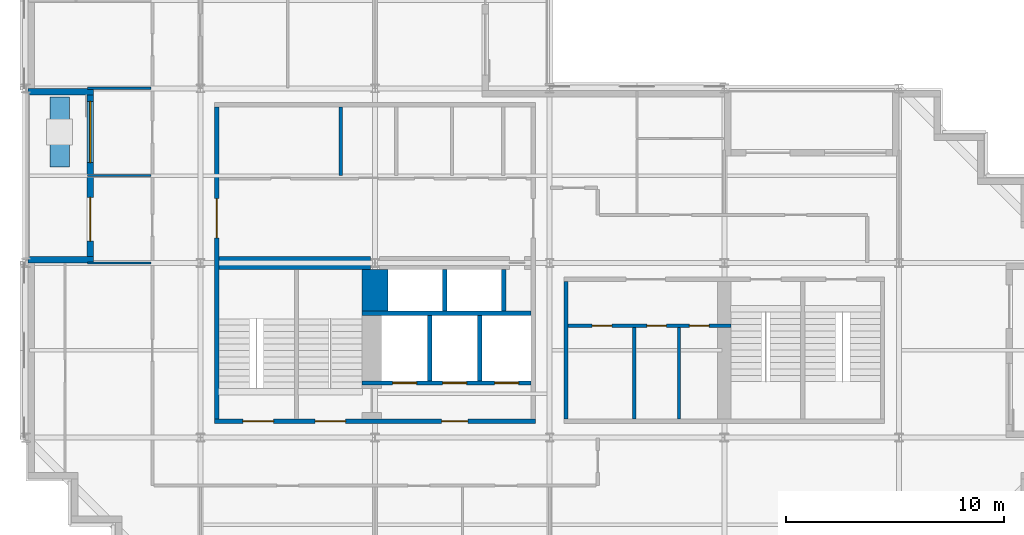
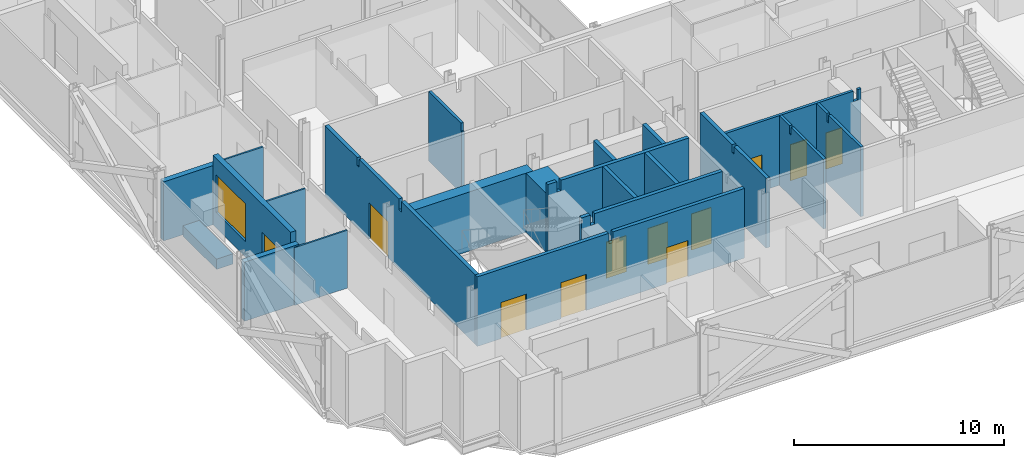
# One storey, part 5 of 13: 22 walls, 11 doors, 1 window, 12 openings.
"""IFC4 building model written with IfcOpenShell, lengths in metres."""

import ifcopenshell
import ifcopenshell.guid

model = None  # the IFC model being written
_history = None  # IfcOwnerHistory: only IFC2X3 demands one
_inside = {}  # id of a spatial element -> (the spatial element, [elements in it])
_under = {}  # id of a project, library or spatial element -> (it, [spatial elements below it])
_declared = {}  # id of a project -> (the project, [libraries it declares])
_typed = {}  # id of a type object -> (the type object, [elements of that type])
_made_of = {}  # id of a material, layer set ... -> (it, [elements and type objects made of it])


def new_model(schema):
    """Start an empty IFC model of exactly this schema.

    Asked for "IFC4X3", IfcOpenShell would pick the latest addendum, in which some entities
    have other attributes; the version numbers below select the first issue.
    IFC2X3 requires an IfcOwnerHistory on every rooted entity: one is made here for all.
    """
    global model, _history
    if schema == "IFC4X3":
        model = ifcopenshell.file(schema_version=(4, 3, 0, 0))
    else:
        model = ifcopenshell.file(schema=schema)
    _inside.clear()
    _under.clear()
    _declared.clear()
    _typed.clear()
    _made_of.clear()
    _history = None
    if model.schema == "IFC2X3":
        org = make("IfcOrganization", Name="unknown")
        user = make(
            "IfcPersonAndOrganization",
            ThePerson=make("IfcPerson", FamilyName="unknown"),
            TheOrganization=org,
        )
        app = make(
            "IfcApplication",
            ApplicationDeveloper=org,
            Version="unknown",
            ApplicationFullName="unknown",
            ApplicationIdentifier="unknown",
        )
        _history = make(
            "IfcOwnerHistory",
            OwningUser=user,
            OwningApplication=app,
            ChangeAction="ADDED",
            CreationDate=0,
        )
    return model


def make(cls, **values):
    """One entity of the class cls with the attributes given. An attribute that is None is left unset."""
    return model.create_entity(
        cls, **{name: value for name, value in values.items() if value is not None}
    )


def rooted(cls, **values):
    """An entity with a GlobalId (a new one), such as an element, a storey or a relation."""
    return make(cls, GlobalId=ifcopenshell.guid.new(), OwnerHistory=_history, **values)


def si_unit(unit_type, name, prefix=None):
    """IfcSIUnit, for example si_unit("LENGTHUNIT", "METRE", prefix="MILLI")."""
    return make("IfcSIUnit", UnitType=unit_type, Prefix=prefix, Name=name)


def assignment(units):
    """IfcUnitAssignment: the units of a project."""
    return None if units is None else make("IfcUnitAssignment", Units=units)


def point(xyz):
    """IfcCartesianPoint."""
    return None if xyz is None else make("IfcCartesianPoint", Coordinates=xyz)


def direction(xyz):
    """IfcDirection."""
    return None if xyz is None else make("IfcDirection", DirectionRatios=xyz)


def frame(location, z_axis=None, x_axis=None):
    """IfcAxis2Placement3D, a coordinate frame: its origin and axes. An axis left out is left unset."""
    return make(
        "IfcAxis2Placement3D",
        Location=point(location),
        Axis=direction(z_axis),
        RefDirection=direction(x_axis),
    )


def frame_2d(location, x_axis=None):
    """IfcAxis2Placement2D, a coordinate frame in the plane: its origin and x axis."""
    return make(
        "IfcAxis2Placement2D", Location=point(location), RefDirection=direction(x_axis)
    )


def origin():
    """The frame at (0, 0, 0) with its axes left unset."""
    return frame((0.0, 0.0, 0.0))


def place(relative_to, where):
    """IfcLocalPlacement: puts the frame where relative to a parent placement (None: the world)."""
    return make(
        "IfcLocalPlacement", PlacementRelTo=relative_to, RelativePlacement=where
    )


def context(
    kind, dimensions, precision=None, world=None, true_north=None, identifier=None
):
    """IfcGeometricRepresentationContext, for example the 3D "Model" context."""
    return make(
        "IfcGeometricRepresentationContext",
        ContextIdentifier=identifier,
        ContextType=kind,
        CoordinateSpaceDimension=dimensions,
        Precision=precision,
        WorldCoordinateSystem=world,
        TrueNorth=true_north,
    )


def subcontext(parent, identifier, kind, view, scale=None):
    """IfcGeometricRepresentationSubContext, for example "Body" below "Model"."""
    return make(
        "IfcGeometricRepresentationSubContext",
        ContextIdentifier=identifier,
        ContextType=kind,
        ParentContext=parent,
        TargetScale=scale,
        TargetView=view,
    )


def project(units=None, contexts=None):
    """IfcProject with its units and contexts."""
    return rooted(
        "IfcProject",
        Name="project",
        RepresentationContexts=contexts,
        UnitsInContext=assignment(units),
    )


def spatial(cls, under=None, at=None, **own):
    """A site, building, storey or space (cls), placed at a placement, below another one or the project."""
    s = rooted(cls, ObjectPlacement=at, **own)
    if under is not None:
        _under.setdefault(under.id(), (under, []))[1].append(s)
    return s


def polyline(points):
    """IfcPolyline through the points."""
    return make("IfcPolyline", Points=[point(p) for p in points])


def profile(cls, at=None, kind="AREA", **sizes):
    """A parametric profile (cls). Its sizes go by their IFC names, for example OverallWidth=200.0."""
    return make(cls, ProfileType=kind, Position=at, **sizes)


def rectangle(**sizes):
    """IfcRectangleProfileDef."""
    return profile("IfcRectangleProfileDef", **sizes)


def outline(outer, holes=None, kind="AREA"):
    """IfcArbitraryClosedProfileDef: a profile drawn as a closed curve; with holes, ...WithVoids."""
    if holes is None:
        return make("IfcArbitraryClosedProfileDef", ProfileType=kind, OuterCurve=outer)
    return make(
        "IfcArbitraryProfileDefWithVoids",
        ProfileType=kind,
        OuterCurve=outer,
        InnerCurves=holes,
    )


def extrude(swept, where, along, depth):
    """IfcExtrudedAreaSolid: the profile swept, set in the frame where, extruded along a direction by depth."""
    return make(
        "IfcExtrudedAreaSolid",
        SweptArea=swept,
        Position=where,
        ExtrudedDirection=direction(along),
        Depth=depth,
    )


def shape(context_of_items, identifier, shape_type, items):
    """IfcShapeRepresentation: the items that make up one representation, for example the "Body"."""
    return make(
        "IfcShapeRepresentation",
        ContextOfItems=context_of_items,
        RepresentationIdentifier=identifier,
        RepresentationType=shape_type,
        Items=items,
    )


def material(Name=None, Category=None):
    """IfcMaterial."""
    return make("IfcMaterial", Name=Name, Category=Category)


def layer(
    of_material, thickness, ventilated=None, Name=None, Category=None, Priority=None
):
    """IfcMaterialLayer: one layer of a wall or slab, of a material (None: an air gap)."""
    return make(
        "IfcMaterialLayer",
        Material=of_material,
        LayerThickness=thickness,
        IsVentilated=ventilated,
        Name=Name,
        Category=Category,
        Priority=Priority,
    )


def layer_set(layers, Name=None):
    """IfcMaterialLayerSet."""
    return make("IfcMaterialLayerSet", MaterialLayers=layers, LayerSetName=Name)


def made_of(thing, what):
    """Note that an element or type object is made of a material, layer set ...; save() writes the relation."""
    if what is not None:
        _made_of.setdefault(what.id(), (what, []))[1].append(thing)
    return thing


def type_object(cls, material=None, **own):
    """A type object (cls), such as IfcWallType, which elements share."""
    return made_of(rooted(cls, **own), material)


def element(
    cls,
    number,
    at=None,
    inside=None,
    cuts=None,
    type_object=None,
    material=None,
    context=None,
    identifier="Body",
    shape_type=None,
    held_by="IfcProductDefinitionShape",
    body=None,
    shapes=None,
    **own,
):
    """One element of the class cls, such as IfcWall. Its Tag is "e" and its number.

    at: its placement. inside: the storey or other place that contains it. cuts: it is an
    opening in that element (IfcRelVoidsElement). A single representation is given by context,
    identifier, shape_type and body (its items); several are given by shapes. held_by: the class
    of the entity that holds the representations. save() writes the other relations.
    """
    e = rooted(cls, Tag="e%d" % number, ObjectPlacement=at, **own)
    if body is not None:
        shapes = [shape(context, identifier, shape_type, body)]
    if shapes is not None:
        e.Representation = make(held_by, Representations=shapes)
    if inside is not None:
        _inside.setdefault(inside.id(), (inside, []))[1].append(e)
    if cuts is not None:
        rooted(
            "IfcRelVoidsElement", RelatingBuildingElement=cuts, RelatedOpeningElement=e
        )
    if type_object is not None:
        _typed.setdefault(type_object.id(), (type_object, []))[1].append(e)
    return made_of(e, material)


def fill(opening, filler):
    """IfcRelFillsElement: the door or window that sits in an opening."""
    return rooted(
        "IfcRelFillsElement",
        RelatingOpeningElement=opening,
        RelatedBuildingElement=filler,
    )


def aggregate(whole, parts):
    """IfcRelAggregates: a whole, such as a stair, and the parts it consists of."""
    return rooted("IfcRelAggregates", RelatingObject=whole, RelatedObjects=parts)


def save(model, path):
    """Write the relations noted so far, then the file.

    IfcRelAggregates (storeys below a building ...), IfcRelContainedInSpatialStructure (elements
    in a storey), IfcRelDefinesByType, IfcRelAssociatesMaterial and IfcRelDeclares: one each for
    every whole, place, type object, material and project.
    """
    for whole, parts in _under.values():
        aggregate(whole, parts)
    for where, things in _inside.values():
        rooted(
            "IfcRelContainedInSpatialStructure",
            RelatedElements=things,
            RelatingStructure=where,
        )
    for kind, things in _typed.values():
        rooted("IfcRelDefinesByType", RelatedObjects=things, RelatingType=kind)
    for what, things in _made_of.values():
        rooted("IfcRelAssociatesMaterial", RelatedObjects=things, RelatingMaterial=what)
    for by, libraries in _declared.values():
        rooted("IfcRelDeclares", RelatingContext=by, RelatedDefinitions=libraries)
    model.write(path)


model = new_model("IFC4")

# Units and contexts
model_context = context("Model", 3, precision=1e-05, world=origin(), true_north=direction((0.0, 1.0)))
body_context = subcontext(model_context, "Body", "Model", "MODEL_VIEW")
ifc_project = project(units=[si_unit("LENGTHUNIT", "METRE"), si_unit("AREAUNIT", "SQUARE_METRE"), si_unit("VOLUMEUNIT", "CUBIC_METRE"), si_unit("PLANEANGLEUNIT", "RADIAN"), si_unit("MASSUNIT", "GRAM", prefix="KILO")], contexts=[model_context])

# Site, building, storey
site_placement = place(None, origin())
site = spatial("IfcSite", under=ifc_project, at=site_placement, CompositionType="ELEMENT")
building_placement = place(site_placement, origin())
building = spatial("IfcBuilding", under=site, at=building_placement, Name="Immortelle Media Tower", CompositionType="ELEMENT")
storey_placement = place(building_placement, frame((0.0, 0.0, 170.39990234375)))
storey = spatial("IfcBuildingStorey", under=building, at=storey_placement, Name="L35", CompositionType="ELEMENT", Elevation=170.39990234375)

# Wall
ifc_material_1 = material(Name="Fire-rated gypsum board", Category="gypsum")
ifc_layer_1 = layer(ifc_material_1, 0.02490234375)
ifc_material_2 = material(Name="Steel ASTM A653 SS Gr 50 stud frame with mineral wool", Category="steel")
ifc_layer_2 = layer(ifc_material_2, 0.10009765625)
ifc_layer_3 = layer(ifc_material_1, 0.02490234375)
ifc_layer_set_1 = layer_set([ifc_layer_1, ifc_layer_2, ifc_layer_3], Name="Steel ASTM A653 SS Gr 50 stud frame with mineral wool")
wall_type_1 = type_object("IfcWallType", Name="Core partition 150", PredefinedType="PARTITIONING", material=ifc_layer_set_1)
wall_1_placement = place(storey_placement, frame((14.425048828125, 20.0, 0.0), z_axis=(0.0, 0.0, 1.0), x_axis=(0.0, 1.0, 0.0)))
element("IfcWall", 1, at=wall_1_placement, inside=storey, type_object=wall_type_1, Name="Core partition SW", PredefinedType="PARTITIONING", context=body_context, shape_type="SweptSolid", body=[
    extrude(outline(polyline([(0.0, 0.0), (3.14990234375, 0.0), (3.14990234375, 4.050048828125), (0.08154296875, 4.050048828125), (0.08056640625, 3.589111328125), (0.0, 3.589111328125), (0.0, 0.0)])), frame((0.0, 0.074951171875, 0.0), z_axis=(0.0, -1.0, 0.0), x_axis=(1.0, 0.0, 0.0)), (0.0, 0.0, 1.0), 0.14990234375),
])

# Wall, openings, doors
wall_2_placement = place(storey_placement, frame((24.85009765625, 13.125, 0.0), z_axis=(0.0, 0.0, 1.0), x_axis=(1.0, 0.0, 0.0)))
wall_2 = element("IfcWall", 2, at=wall_2_placement, inside=storey, type_object=wall_type_1, Name="Core partition SE", PredefinedType="PARTITIONING", context=body_context, shape_type="SweptSolid", body=[
    extrude(outline(polyline([(0.0, 0.0), (7.449951171875, 0.0), (7.449951171875, 4.050048828125), (7.26904296875, 4.050048828125), (7.26806640625, 3.442138671875), (7.031982421875, 3.442138671875), (7.031005859375, 4.050048828125), (0.0, 4.050048828125), (0.0, 0.0)])), frame((0.0, 0.074951171875, 0.0), z_axis=(0.0, -1.0, 0.0), x_axis=(1.0, 0.0, 0.0)), (0.0, 0.0, 1.0), 0.14990234375),
])
opening_1_placement = place(wall_2_placement, frame((2.0, 0.0, 0.0), z_axis=(0.0, 0.0, 1.0), x_axis=(-1.0, 0.0, 0.0)))
opening_1 = element("IfcOpeningElement", 3, at=opening_1_placement, cuts=wall_2, Name="Opening C5-K040", PredefinedType="OPENING", context=body_context, shape_type="SweptSolid", body=[
    extrude(rectangle(XDim=0.89990234375, YDim=2.10009765625, at=frame_2d((0.449951171875, 1.050048828125))), frame((0.0, 0.0849609375, 0.0), z_axis=(0.0, -1.0, 0.0), x_axis=(1.0, 0.0, 0.0)), (0.0, 0.0, 1.0), 0.169921875),
])
opening_2_placement = place(wall_2_placement, frame((4.5, 0.0, 0.0), z_axis=(0.0, 0.0, 1.0), x_axis=(-1.0, 0.0, 0.0)))
opening_2 = element("IfcOpeningElement", 4, at=opening_2_placement, cuts=wall_2, Name="Opening C5-K041", PredefinedType="OPENING", context=body_context, shape_type="SweptSolid", body=[
    extrude(rectangle(XDim=0.89990234375, YDim=2.10009765625, at=frame_2d((0.449951171875, 1.050048828125))), frame((0.0, 0.0849609375, 0.0), z_axis=(0.0, -1.0, 0.0), x_axis=(1.0, 0.0, 0.0)), (0.0, 0.0, 1.0), 0.169921875),
])
opening_3_placement = place(wall_2_placement, frame((6.449951171875, 0.0, 0.0), z_axis=(0.0, 0.0, 1.0), x_axis=(-1.0, 0.0, 0.0)))
opening_3 = element("IfcOpeningElement", 5, at=opening_3_placement, cuts=wall_2, Name="Opening C5-K042", PredefinedType="OPENING", context=body_context, shape_type="SweptSolid", body=[
    extrude(rectangle(XDim=0.89990234375, YDim=2.10009765625, at=frame_2d((0.449951171875, 1.050048828125))), frame((0.0, 0.0849609375, 0.0), z_axis=(0.0, -1.0, 0.0), x_axis=(1.0, 0.0, 0.0)), (0.0, 0.0, 1.0), 0.169921875),
])
ifc_material_3 = material(Name="Timber", Category="wood")
door_type_1 = type_object("IfcDoorType", Name="Room door 900 x 2100", OperationType="NOTDEFINED", PredefinedType="NOTDEFINED", material=ifc_material_3)
door_1_placement = place(opening_1_placement, origin())
door_1 = element("IfcDoor", 6, at=door_1_placement, inside=storey, type_object=door_type_1, Name="Room C5-K040", OperationType="SINGLE_SWING_RIGHT", OverallHeight=2.10009765625, OverallWidth=0.89990234375, PredefinedType="NOTDEFINED", context=body_context, shape_type="SweptSolid", body=[
    extrude(rectangle(XDim=0.89990234375, YDim=2.10009765625, at=frame_2d((0.449951171875, 1.050048828125))), frame((0.0, 0.02490234375, 0.0), z_axis=(0.0, -1.0, 0.0), x_axis=(1.0, 0.0, 0.0)), (0.0, 0.0, 1.0), 0.050048828125),
])
fill(opening_1, door_1)
door_2_placement = place(opening_2_placement, origin())
door_2 = element("IfcDoor", 7, at=door_2_placement, inside=storey, type_object=door_type_1, Name="Room C5-K041", OperationType="SINGLE_SWING_LEFT", OverallHeight=2.10009765625, OverallWidth=0.89990234375, PredefinedType="NOTDEFINED", context=body_context, shape_type="SweptSolid", body=[
    extrude(rectangle(XDim=0.89990234375, YDim=2.10009765625, at=frame_2d((0.449951171875, 1.050048828125))), frame((0.0, 0.02490234375, 0.0), z_axis=(0.0, -1.0, 0.0), x_axis=(1.0, 0.0, 0.0)), (0.0, 0.0, 1.0), 0.050048828125),
])
fill(opening_2, door_2)
ifc_material_4 = material(Name="Galvanised steel door leaf and frame ASTM A653", Category="steel")
door_type_2 = type_object("IfcDoorType", Name="Service door 900 x 2100", OperationType="NOTDEFINED", PredefinedType="NOTDEFINED", material=ifc_material_4)
door_3_placement = place(opening_3_placement, origin())
door_3 = element("IfcDoor", 8, at=door_3_placement, inside=storey, type_object=door_type_2, Name="Service C5-K042", OperationType="SINGLE_SWING_LEFT", OverallHeight=2.10009765625, OverallWidth=0.89990234375, PredefinedType="NOTDEFINED", context=body_context, shape_type="SweptSolid", body=[
    extrude(rectangle(XDim=0.89990234375, YDim=2.10009765625, at=frame_2d((0.449951171875, 1.050048828125))), frame((0.0, 0.02490234375, 0.0), z_axis=(0.0, -1.0, 0.0), x_axis=(1.0, 0.0, 0.0)), (0.0, 0.0, 1.0), 0.050048828125),
])
fill(opening_3, door_3)

# Walls
for number, where, z_axis, x_axis, name in (
    (9, (27.875, 8.85009765625, 0.0), (0.0, 0.0, 1.0), (0.0, 1.0, 0.0), "Core partition SE"),
    (10, (29.925048828125, 8.85009765625, 0.0), (0.0, 0.0, 1.0), (0.0, 1.0, 0.0), "Core partition SE"),
):
    element("IfcWall", number, at=place(storey_placement, frame(where, z_axis=z_axis, x_axis=x_axis)), inside=storey, type_object=wall_type_1, Name=name, PredefinedType="PARTITIONING", context=body_context, shape_type="SweptSolid", body=[
        extrude(outline(polyline([(0.0, 0.0), (4.199951171875, 0.0), (4.199951171875, 4.050048828125), (3.2314453125, 4.050048828125), (3.23046875, 3.589111328125), (3.069580078125, 3.589111328125), (3.068603515625, 4.050048828125), (0.0, 4.050048828125), (0.0, 0.0)])), frame((0.0, 0.074951171875, 0.0), z_axis=(0.0, -1.0, 0.0), x_axis=(1.0, 0.0, 0.0)), (0.0, 0.0, 1.0), 0.14990234375),
    ])

# Wall, openings, doors
ifc_layer_4 = layer(ifc_material_1, 0.03759765625)
ifc_layer_5 = layer(ifc_material_2, 0.125)
ifc_layer_6 = layer(ifc_material_1, 0.03759765625)
ifc_layer_set_2 = layer_set([ifc_layer_4, ifc_layer_5, ifc_layer_6], Name="Steel ASTM A653 SS Gr 50 stud frame with mineral wool")
wall_type_2 = type_object("IfcWallType", Name="Core shaft wall 200", PredefinedType="PARTITIONING", material=ifc_layer_set_2)
wall_3_placement = place(storey_placement, frame((15.39990234375, 10.5, 0.0), z_axis=(0.0, 0.0, 1.0), x_axis=(1.0, 0.0, 0.0)))
wall_3 = element("IfcWall", 11, at=wall_3_placement, inside=storey, type_object=wall_type_2, Name="Core shaft wall SW", PredefinedType="PARTITIONING", context=body_context, shape_type="SweptSolid", body=[
    extrude(outline(polyline([(0.0, 0.0), (7.75, 0.0), (7.75, 4.050048828125), (0.718994140625, 4.050048828125), (0.718017578125, 3.442138671875), (0.48193359375, 3.442138671875), (0.48095703125, 4.050048828125), (0.0, 4.050048828125), (0.0, 0.0)])), frame((0.0, 0.10009765625, 0.0), z_axis=(0.0, -1.0, 0.0), x_axis=(1.0, 0.0, 0.0)), (0.0, 0.0, 1.0), 0.199951171875),
])
opening_4_placement = place(wall_3_placement, frame((1.39990234375, 0.0, 0.0)))
opening_4 = element("IfcOpeningElement", 12, at=opening_4_placement, cuts=wall_3, Name="Opening LD", PredefinedType="OPENING", context=body_context, shape_type="SweptSolid", body=[
    extrude(rectangle(XDim=1.10009765625, YDim=2.10009765625, at=frame_2d((0.550048828125, 1.050048828125))), frame((0.0, 0.10986328125, 0.0), z_axis=(0.0, -1.0, 0.0), x_axis=(1.0, 0.0, 0.0)), (0.0, 0.0, 1.0), 0.219970703125),
])
opening_5_placement = place(wall_3_placement, frame((3.699951171875, 0.0, 0.0)))
opening_5 = element("IfcOpeningElement", 13, at=opening_5_placement, cuts=wall_3, Name="Opening LD", PredefinedType="OPENING", context=body_context, shape_type="SweptSolid", body=[
    extrude(rectangle(XDim=1.10009765625, YDim=2.10009765625, at=frame_2d((0.550048828125, 1.050048828125))), frame((0.0, 0.10986328125, 0.0), z_axis=(0.0, -1.0, 0.0), x_axis=(1.0, 0.0, 0.0)), (0.0, 0.0, 1.0), 0.219970703125),
])
opening_6_placement = place(wall_3_placement, frame((6.074951171875, 0.0, 0.0)))
opening_6 = element("IfcOpeningElement", 14, at=opening_6_placement, cuts=wall_3, Name="Opening LD", PredefinedType="OPENING", context=body_context, shape_type="SweptSolid", body=[
    extrude(rectangle(XDim=1.10009765625, YDim=2.10009765625, at=frame_2d((0.550048828125, 1.050048828125))), frame((0.0, 0.10986328125, 0.0), z_axis=(0.0, -1.0, 0.0), x_axis=(1.0, 0.0, 0.0)), (0.0, 0.0, 1.0), 0.219970703125),
])
ifc_material_5 = material(Name="Stainless steel AISI 304", Category="steel")
door_type_3 = type_object("IfcDoorType", Name="Landing door 1100 x 2100", OperationType="SLIDING_TO_LEFT", PredefinedType="NOTDEFINED", material=ifc_material_5)
door_4_placement = place(opening_4_placement, origin())
door_4 = element("IfcDoor", 15, at=door_4_placement, inside=storey, type_object=door_type_3, Name="Landing door FF1 L35", OperationType="SLIDING_TO_LEFT", OverallHeight=2.10009765625, OverallWidth=1.10009765625, PredefinedType="NOTDEFINED", context=body_context, shape_type="SweptSolid", body=[
    extrude(rectangle(XDim=1.10009765625, YDim=2.10009765625, at=frame_2d((0.550048828125, 1.050048828125))), frame((0.0, 0.02490234375, 0.0), z_axis=(0.0, -1.0, 0.0), x_axis=(1.0, 0.0, 0.0)), (0.0, 0.0, 1.0), 0.050048828125),
])
fill(opening_4, door_4)
door_5_placement = place(opening_5_placement, origin())
door_5 = element("IfcDoor", 16, at=door_5_placement, inside=storey, type_object=door_type_3, Name="Landing door FF2 L35", OperationType="SLIDING_TO_LEFT", OverallHeight=2.10009765625, OverallWidth=1.10009765625, PredefinedType="NOTDEFINED", context=body_context, shape_type="SweptSolid", body=[
    extrude(rectangle(XDim=1.10009765625, YDim=2.10009765625, at=frame_2d((0.550048828125, 1.050048828125))), frame((0.0, 0.02490234375, 0.0), z_axis=(0.0, -1.0, 0.0), x_axis=(1.0, 0.0, 0.0)), (0.0, 0.0, 1.0), 0.050048828125),
])
fill(opening_5, door_5)
door_6_placement = place(opening_6_placement, origin())
door_6 = element("IfcDoor", 17, at=door_6_placement, inside=storey, type_object=door_type_3, Name="Landing door FF3 L35", OperationType="SLIDING_TO_LEFT", OverallHeight=2.10009765625, OverallWidth=1.10009765625, PredefinedType="NOTDEFINED", context=body_context, shape_type="SweptSolid", body=[
    extrude(rectangle(XDim=1.10009765625, YDim=2.10009765625, at=frame_2d((0.550048828125, 1.050048828125))), frame((0.0, 0.02490234375, 0.0), z_axis=(0.0, -1.0, 0.0), x_axis=(1.0, 0.0, 0.0)), (0.0, 0.0, 1.0), 0.050048828125),
])
fill(opening_6, door_6)

# Walls
wall_4_placement = place(storey_placement, frame((15.39990234375, 13.699951171875, 0.0), z_axis=(0.0, 0.0, 1.0), x_axis=(1.0, 0.0, 0.0)))
element("IfcWall", 18, at=wall_4_placement, inside=storey, type_object=wall_type_2, Name="Core shaft wall SW", PredefinedType="PARTITIONING", context=body_context, shape_type="SweptSolid", body=[
    extrude(outline(polyline([(0.0, 0.0), (7.75, 0.0), (7.75, 4.050048828125), (0.718994140625, 4.050048828125), (0.718017578125, 3.442138671875), (0.48193359375, 3.442138671875), (0.48095703125, 4.050048828125), (0.0, 4.050048828125), (0.0, 0.0)])), frame((0.0, 0.10009765625, 0.0), z_axis=(0.0, -1.0, 0.0), x_axis=(1.0, 0.0, 0.0)), (0.0, 0.0, 1.0), 0.199951171875),
])
wall_5_placement = place(storey_placement, frame((18.5, 10.60009765625, 0.0), z_axis=(0.0, 0.0, 1.0), x_axis=(0.0, 1.0, 0.0)))
element("IfcWall", 19, at=wall_5_placement, inside=storey, type_object=wall_type_2, Name="Core shaft wall SW", PredefinedType="PARTITIONING", context=body_context, shape_type="SweptSolid", body=[
    extrude(rectangle(XDim=3.0, YDim=0.199951171875, at=frame_2d((1.5, 0.0))), origin(), (0.0, 0.0, 1.0), 4.050048828125),
])
wall_6_placement = place(storey_placement, frame((19.199951171875, 13.800048828125, 0.0), z_axis=(0.0, 0.0, 1.0), x_axis=(0.0, 1.0, 0.0)))
element("IfcWall", 20, at=wall_6_placement, inside=storey, type_object=wall_type_2, Name="Core shaft wall SW", PredefinedType="PARTITIONING", context=body_context, shape_type="SweptSolid", body=[
    extrude(rectangle(XDim=1.89990234375, YDim=0.199951171875, at=frame_2d((0.949951171875, 0.0))), origin(), (0.0, 0.0, 1.0), 4.050048828125),
])
wall_7_placement = place(storey_placement, frame((20.800048828125, 10.60009765625, 0.0), z_axis=(0.0, 0.0, 1.0), x_axis=(0.0, 1.0, 0.0)))
element("IfcWall", 21, at=wall_7_placement, inside=storey, type_object=wall_type_2, Name="Core shaft wall SW", PredefinedType="PARTITIONING", context=body_context, shape_type="SweptSolid", body=[
    extrude(rectangle(XDim=3.0, YDim=0.199951171875, at=frame_2d((1.5, 0.0))), origin(), (0.0, 0.0, 1.0), 4.050048828125),
])
wall_8_placement = place(storey_placement, frame((21.89990234375, 13.800048828125, 0.0), z_axis=(0.0, 0.0, 1.0), x_axis=(0.0, 1.0, 0.0)))
element("IfcWall", 22, at=wall_8_placement, inside=storey, type_object=wall_type_2, Name="Core shaft wall SW", PredefinedType="PARTITIONING", context=body_context, shape_type="SweptSolid", body=[
    extrude(rectangle(XDim=1.89990234375, YDim=0.199951171875, at=frame_2d((0.949951171875, 0.0))), origin(), (0.0, 0.0, 1.0), 4.050048828125),
])
wall_9_placement = place(storey_placement, frame((24.75, 8.85009765625, 0.0), z_axis=(0.0, 0.0, 1.0), x_axis=(0.0, 1.0, 0.0)))
element("IfcWall", 23, at=wall_9_placement, inside=storey, type_object=wall_type_2, Name="Core shaft wall SE", PredefinedType="PARTITIONING", context=body_context, shape_type="SweptSolid", body=[
    extrude(outline(polyline([(0.0, 0.0), (6.2998046875, 0.0), (6.300048828125, 4.050048828125), (3.2314453125, 4.050048828125), (3.23046875, 3.589111328125), (3.069580078125, 3.589111328125), (3.068603515625, 4.050048828125), (0.0, 4.050048828125), (0.0, 0.0)])), frame((0.0, 0.10009765625, 0.0), z_axis=(0.0, -1.0, 0.0), x_axis=(1.0, 0.0, 0.0)), (0.0, 0.0, 1.0), 0.199951171875),
])

# Wall, openings, door, window
ifc_material_6 = material(Name="Pale aluminium cladding panel", Category="aluminium")
ifc_layer_7 = layer(ifc_material_6, 0.030029296875)
ifc_layer_8 = layer(ifc_material_2, 0.257568359375)
ifc_material_7 = material(Name="Moisture-resistant gypsum board", Category="gypsum")
ifc_layer_9 = layer(ifc_material_7, 0.012451171875)
ifc_layer_set_3 = layer_set([ifc_layer_7, ifc_layer_8, ifc_layer_9], Name="Steel ASTM A653 SS Gr 50 stud frame with mineral wool")
wall_type_3 = type_object("IfcWallType", Name="Facade wall 300", PredefinedType="SOLIDWALL", material=ifc_layer_set_3)
wall_10_placement = place(storey_placement, frame((2.949951171875, 23.699951171875, 0.0), z_axis=(0.0, 0.0, 1.0), x_axis=(0.0, -1.0, 0.0)))
wall_10 = element("IfcWall", 24, at=wall_10_placement, inside=storey, type_object=wall_type_3, Name="Loggia wall L35 W35", PredefinedType="SOLIDWALL", context=body_context, shape_type="SweptSolid", body=[
    extrude(rectangle(XDim=7.39990234375, YDim=0.300048828125, at=frame_2d((3.699951171875, 0.0))), origin(), (0.0, 0.0, 1.0), 4.050048828125),
])
opening_7_placement = place(wall_10_placement, frame((0.300048828125, 0.0, 0.89990234375)))
opening_7 = element("IfcOpeningElement", 25, at=opening_7_placement, cuts=wall_10, Name="Opening W1", PredefinedType="OPENING", context=body_context, shape_type="SweptSolid", body=[
    extrude(rectangle(XDim=2.800048828125, YDim=2.199951171875, at=frame_2d((1.39990234375, 1.10009765625))), frame((0.0, 0.159912109375, 0.0), z_axis=(0.0, -1.0, 0.0), x_axis=(1.0, 0.0, 0.0)), (0.0, 0.0, 1.0), 0.320068359375),
])
opening_8_placement = place(wall_10_placement, frame((4.699951171875, 0.0, 0.0)))
opening_8 = element("IfcOpeningElement", 26, at=opening_8_placement, cuts=wall_10, Name="Opening C5-E008", PredefinedType="OPENING", context=body_context, shape_type="SweptSolid", body=[
    extrude(rectangle(XDim=2.0, YDim=2.39990234375, at=frame_2d((1.0, 1.199951171875))), frame((0.0, 0.159912109375, 0.0), z_axis=(0.0, -1.0, 0.0), x_axis=(1.0, 0.0, 0.0)), (0.0, 0.0, 1.0), 0.320068359375),
])
ifc_material_8 = material(Name="Aluminium frame, glazed leaves", Category="aluminium")
door_type_4 = type_object("IfcDoorType", Name="Loggia door 2000 x 2400", OperationType="DOUBLE_DOOR_SINGLE_SWING", PredefinedType="DOOR", material=ifc_material_8)
door_7_placement = place(opening_8_placement, origin())
door_7 = element("IfcDoor", 27, at=door_7_placement, inside=storey, type_object=door_type_4, Name="Door C5-E008", OperationType="DOUBLE_DOOR_SINGLE_SWING", OverallHeight=2.39990234375, OverallWidth=2.0, PredefinedType="DOOR", context=body_context, shape_type="SweptSolid", body=[
    extrude(rectangle(XDim=2.0, YDim=2.39990234375, at=frame_2d((1.0, 1.199951171875))), frame((0.0, 0.02490234375, 0.0), z_axis=(0.0, -1.0, 0.0), x_axis=(1.0, 0.0, 0.0)), (0.0, 0.0, 1.0), 0.050048828125),
])
fill(opening_8, door_7)
ifc_material_9 = material(Name="Aluminium frame", Category="aluminium")
window_type = type_object("IfcWindowType", Name="Window 2800 x 2200", PartitioningType="SINGLE_PANEL", PredefinedType="WINDOW", material=ifc_material_9)
window_placement = place(opening_7_placement, origin())
window = element("IfcWindow", 28, at=window_placement, inside=storey, type_object=window_type, Name="Window L35 L35-R35-B2", OverallHeight=2.199951171875, OverallWidth=2.800048828125, PartitioningType="SINGLE_PANEL", PredefinedType="WINDOW", context=body_context, shape_type="SweptSolid", body=[
    extrude(rectangle(XDim=2.800048828125, YDim=2.199951171875, at=frame_2d((1.39990234375, 1.10009765625))), frame((0.0, 0.030029296875, 0.0), z_axis=(0.0, -1.0, 0.0), x_axis=(1.0, 0.0, 0.0)), (0.0, 0.0, 1.0), 0.06005859375),
])
fill(opening_7, window)

# Walls
for number, where, z_axis, x_axis, name in (
    (29, (0.10009765625, 23.85009765625, 0.0), (0.0, 0.0, 1.0), (1.0, 0.0, 0.0), "Loggia cheek wall L35 W"),
    (30, (0.10009765625, 16.14990234375, 0.0), (0.0, 0.0, 1.0), (1.0, 0.0, 0.0), "Loggia cheek wall L35 W"),
):
    element("IfcWall", number, at=place(storey_placement, frame(where, z_axis=z_axis, x_axis=x_axis)), inside=storey, type_object=wall_type_3, Name=name, PredefinedType="SOLIDWALL", context=body_context, shape_type="SweptSolid", body=[
        extrude(rectangle(XDim=3.0, YDim=0.300048828125, at=frame_2d((1.5, 0.0))), origin(), (0.0, 0.0, 1.0), 3.43701171875),
    ])
ifc_material_10 = material(Name="Gypsum board", Category="gypsum")
ifc_layer_10 = layer(ifc_material_10, 0.012451171875)
ifc_layer_11 = layer(ifc_material_2, 0.074951171875)
ifc_layer_12 = layer(ifc_material_10, 0.012451171875)
ifc_layer_set_4 = layer_set([ifc_layer_10, ifc_layer_11, ifc_layer_12], Name="Steel ASTM A653 SS Gr 50 stud frame with mineral wool")
wall_type_4 = type_object("IfcWallType", Name="Partition 100", PredefinedType="PARTITIONING", material=ifc_layer_set_4)
for number, where, z_axis, x_axis, name in (
    (31, (2.830078125, 16.0, 0.0), (0.0, 0.0, 1.0), (1.0, 0.0, 0.0), "Partition L35-009"),
    (32, (2.830078125, 20.0, 0.0), (0.0, 0.0, 1.0), (1.0, 0.0, 0.0), "Partition L35-017"),
    (33, (2.830078125, 24.0, 0.0), (0.0, 0.0, 1.0), (1.0, 0.0, 0.0), "Partition L35-020"),
):
    element("IfcWall", number, at=place(storey_placement, frame(where, z_axis=z_axis, x_axis=x_axis)), inside=storey, type_object=wall_type_4, Name=name, PredefinedType="PARTITIONING", context=body_context, shape_type="SweptSolid", body=[
        extrude(rectangle(XDim=2.89501953125, YDim=0.10009765625, at=frame_2d((1.447509765625, 0.0))), origin(), (0.0, 0.0, 1.0), 3.35400390625),
    ])
ifc_layer_13 = layer(ifc_material_6, 0.0029296875)
ifc_material_11 = material(Name="Steel ASTM A572 Gr 50 planter shell", Category="steel")
ifc_layer_14 = layer(ifc_material_11, 0.011962890625)
ifc_material_12 = material(Name="Planting substrate", Category="soil")
ifc_layer_15 = layer(ifc_material_12, 0.873046875)
ifc_layer_16 = layer(ifc_material_11, 0.011962890625)
ifc_layer_set_5 = layer_set([ifc_layer_13, ifc_layer_14, ifc_layer_15, ifc_layer_16], Name="Steel ASTM A572 Gr 50 planter shell")
wall_type_5 = type_object("IfcWallType", Name="Planter wall 900", PredefinedType="SOLIDWALL", material=ifc_layer_set_5)
wall_11_placement = place(storey_placement, frame((1.550048828125, 23.60009765625, 0.0), z_axis=(0.0, 0.0, 1.0), x_axis=(0.0, -1.0, 0.0)))
element("IfcWall", 34, at=wall_11_placement, inside=storey, type_object=wall_type_5, Name="Planter L35 W2", PredefinedType="SOLIDWALL", context=body_context, shape_type="SweptSolid", body=[
    extrude(rectangle(XDim=3.2001953125, YDim=0.89990234375, at=frame_2d((1.60009765625, 0.0))), origin(), (0.0, 0.0, 1.0), 0.60009765625),
])
ifc_material_13 = material(Name="Concrete C60", Category="concrete")
ifc_layer_17 = layer(ifc_material_13, 1.199951171875)
ifc_layer_set_6 = layer_set([ifc_layer_17], Name="Concrete C60")
wall_type_6 = type_object("IfcWallType", Name="Stair shaft wall 1200", PredefinedType="PARTITIONING", material=ifc_layer_set_6)
wall_12_placement = place(storey_placement, frame((16.0, 13.800048828125, 0.0), z_axis=(0.0, 0.0, 1.0), x_axis=(0.0, 1.0, 0.0)))
element("IfcWall", 35, at=wall_12_placement, inside=storey, type_object=wall_type_6, Name="Stair shaft wall SW", PredefinedType="PARTITIONING", context=body_context, shape_type="SweptSolid", body=[
    extrude(rectangle(XDim=1.89990234375, YDim=1.199951171875, at=frame_2d((0.949951171875, 0.0))), origin(), (0.0, 0.0, 1.0), 3.442138671875),
])

# Wall, openings, doors
ifc_layer_18 = layer(ifc_material_13, 0.199951171875)
ifc_layer_set_7 = layer_set([ifc_layer_18], Name="Concrete C60")
wall_type_7 = type_object("IfcWallType", Name="Stair shaft wall 200", PredefinedType="PARTITIONING", material=ifc_layer_set_7)
wall_13_placement = place(storey_placement, frame((8.64990234375, 8.75, 0.0), z_axis=(0.0, 0.0, 1.0), x_axis=(1.0, 0.0, 0.0)))
wall_13 = element("IfcWall", 36, at=wall_13_placement, inside=storey, type_object=wall_type_7, Name="Stair shaft wall SW", PredefinedType="PARTITIONING", context=body_context, shape_type="SweptSolid", body=[
    extrude(outline(polyline([(0.0, 0.0), (14.7001953125, 0.0), (14.699951171875, 4.050048828125), (7.468994140625, 4.050048828125), (7.468017578125, 3.442138671875), (7.23193359375, 3.442138671875), (7.23095703125, 4.050048828125), (0.0, 4.050048828125), (0.0, 0.0)])), frame((0.0, 0.10009765625, 0.0), z_axis=(0.0, -1.0, 0.0), x_axis=(1.0, 0.0, 0.0)), (0.0, 0.0, 1.0), 0.199951171875),
])
opening_9_placement = place(wall_13_placement, frame((1.300048828125, 0.0, 0.0)))
opening_9 = element("IfcOpeningElement", 37, at=opening_9_placement, cuts=wall_13, Name="Opening C5-K002", PredefinedType="OPENING", context=body_context, shape_type="SweptSolid", body=[
    extrude(rectangle(XDim=1.39990234375, YDim=2.10009765625, at=frame_2d((0.699951171875, 1.050048828125))), frame((0.0, 0.10986328125, 0.0), z_axis=(0.0, -1.0, 0.0), x_axis=(1.0, 0.0, 0.0)), (0.0, 0.0, 1.0), 0.219970703125),
])
opening_10_placement = place(wall_13_placement, frame((4.60009765625, 0.0, 0.0)))
opening_10 = element("IfcOpeningElement", 38, at=opening_10_placement, cuts=wall_13, Name="Opening C5-K005", PredefinedType="OPENING", context=body_context, shape_type="SweptSolid", body=[
    extrude(rectangle(XDim=1.39990234375, YDim=2.10009765625, at=frame_2d((0.699951171875, 1.050048828125))), frame((0.0, 0.10986328125, 0.0), z_axis=(0.0, -1.0, 0.0), x_axis=(1.0, 0.0, 0.0)), (0.0, 0.0, 1.0), 0.219970703125),
])
opening_11_placement = place(wall_13_placement, frame((10.39990234375, 0.0, 0.0)))
opening_11 = element("IfcOpeningElement", 39, at=opening_11_placement, cuts=wall_13, Name="Opening C5-K011", PredefinedType="OPENING", context=body_context, shape_type="SweptSolid", body=[
    extrude(rectangle(XDim=1.199951171875, YDim=2.10009765625, at=frame_2d((0.60009765625, 1.050048828125))), frame((0.0, 0.10986328125, 0.0), z_axis=(0.0, -1.0, 0.0), x_axis=(1.0, 0.0, 0.0)), (0.0, 0.0, 1.0), 0.219970703125),
])
door_type_5 = type_object("IfcDoorType", Name="Fire-fighting lobby door 1200 x 2100", OperationType="NOTDEFINED", PredefinedType="NOTDEFINED", material=ifc_material_4)
door_8_placement = place(opening_11_placement, origin())
door_8 = element("IfcDoor", 40, at=door_8_placement, inside=storey, type_object=door_type_5, Name="Fire-fighting lobby C5-K011", OperationType="SINGLE_SWING_LEFT", OverallHeight=2.10009765625, OverallWidth=1.199951171875, PredefinedType="NOTDEFINED", context=body_context, shape_type="SweptSolid", body=[
    extrude(rectangle(XDim=1.199951171875, YDim=2.10009765625, at=frame_2d((0.60009765625, 1.050048828125))), frame((0.0, 0.02490234375, 0.0), z_axis=(0.0, -1.0, 0.0), x_axis=(1.0, 0.0, 0.0)), (0.0, 0.0, 1.0), 0.050048828125),
])
fill(opening_11, door_8)
door_type_6 = type_object("IfcDoorType", Name="Stair door 1400 x 2100", OperationType="DOUBLE_DOOR_SINGLE_SWING", PredefinedType="NOTDEFINED", material=ifc_material_4)
door_9_placement = place(opening_9_placement, origin())
door_9 = element("IfcDoor", 41, at=door_9_placement, inside=storey, type_object=door_type_6, Name="Stair C5-K002", OperationType="DOUBLE_DOOR_SINGLE_SWING", OverallHeight=2.10009765625, OverallWidth=1.39990234375, PredefinedType="NOTDEFINED", context=body_context, shape_type="SweptSolid", body=[
    extrude(rectangle(XDim=1.39990234375, YDim=2.10009765625, at=frame_2d((0.699951171875, 1.050048828125))), frame((0.0, 0.02490234375, 0.0), z_axis=(0.0, -1.0, 0.0), x_axis=(1.0, 0.0, 0.0)), (0.0, 0.0, 1.0), 0.050048828125),
])
fill(opening_9, door_9)
door_10_placement = place(opening_10_placement, origin())
door_10 = element("IfcDoor", 42, at=door_10_placement, inside=storey, type_object=door_type_6, Name="Stair C5-K005", OperationType="DOUBLE_DOOR_SINGLE_SWING", OverallHeight=2.10009765625, OverallWidth=1.39990234375, PredefinedType="NOTDEFINED", context=body_context, shape_type="SweptSolid", body=[
    extrude(rectangle(XDim=1.39990234375, YDim=2.10009765625, at=frame_2d((0.699951171875, 1.050048828125))), frame((0.0, 0.02490234375, 0.0), z_axis=(0.0, -1.0, 0.0), x_axis=(1.0, 0.0, 0.0)), (0.0, 0.0, 1.0), 0.050048828125),
])
fill(opening_10, door_10)

# Wall, opening, door
wall_14_placement = place(storey_placement, frame((8.75, 8.85009765625, 0.0), z_axis=(0.0, 0.0, 1.0), x_axis=(0.0, 1.0, 0.0)))
wall_14 = element("IfcWall", 43, at=wall_14_placement, inside=storey, type_object=wall_type_7, Name="Stair shaft wall SW", PredefinedType="PARTITIONING", context=body_context, shape_type="SweptSolid", body=[
    extrude(outline(polyline([(0.0, 0.0), (14.2998046875, 0.0), (14.300048828125, 4.050048828125), (11.2314453125, 4.050048828125), (11.23046875, 3.589111328125), (11.069580078125, 3.589111328125), (11.068603515625, 4.050048828125), (7.26904296875, 4.050048828125), (7.26806640625, 3.442138671875), (7.031982421875, 3.442138671875), (7.031005859375, 4.050048828125), (0.0, 4.050048828125), (0.0, 0.0)])), frame((0.0, 0.10009765625, 0.0), z_axis=(0.0, -1.0, 0.0), x_axis=(1.0, 0.0, 0.0)), (0.0, 0.0, 1.0), 0.199951171875),
])
opening_12_placement = place(wall_14_placement, frame((8.300048828125, 0.0, 0.0)))
opening_12 = element("IfcOpeningElement", 44, at=opening_12_placement, cuts=wall_14, Name="Opening C5-K001", PredefinedType="OPENING", context=body_context, shape_type="SweptSolid", body=[
    extrude(rectangle(XDim=1.800048828125, YDim=2.10009765625, at=frame_2d((0.89990234375, 1.050048828125))), frame((0.0, 0.10986328125, 0.0), z_axis=(0.0, -1.0, 0.0), x_axis=(1.0, 0.0, 0.0)), (0.0, 0.0, 1.0), 0.219970703125),
])
door_type_7 = type_object("IfcDoorType", Name="Lift lobby door 1800 x 2100", OperationType="DOUBLE_DOOR_SINGLE_SWING", PredefinedType="NOTDEFINED", material=ifc_material_4)
door_11_placement = place(opening_12_placement, origin())
door_11 = element("IfcDoor", 45, at=door_11_placement, inside=storey, type_object=door_type_7, Name="Lift lobby C5-K001", OperationType="DOUBLE_DOOR_SINGLE_SWING", OverallHeight=2.10009765625, OverallWidth=1.800048828125, PredefinedType="NOTDEFINED", context=body_context, shape_type="SweptSolid", body=[
    extrude(rectangle(XDim=1.800048828125, YDim=2.10009765625, at=frame_2d((0.89990234375, 1.050048828125))), frame((0.0, 0.02490234375, 0.0), z_axis=(0.0, -1.0, 0.0), x_axis=(1.0, 0.0, 0.0)), (0.0, 0.0, 1.0), 0.050048828125),
])
fill(opening_12, door_11)

# Wall
ifc_layer_19 = layer(ifc_material_13, 0.60009765625)
ifc_layer_set_8 = layer_set([ifc_layer_19], Name="Concrete C60")
wall_type_8 = type_object("IfcWallType", Name="Stair shaft wall 600", PredefinedType="PARTITIONING", material=ifc_layer_set_8)
wall_15_placement = place(storey_placement, frame((8.85009765625, 16.0, 0.0), z_axis=(0.0, 0.0, 1.0), x_axis=(1.0, 0.0, 0.0)))
element("IfcWall", 46, at=wall_15_placement, inside=storey, type_object=wall_type_8, Name="Stair shaft wall SW", PredefinedType="PARTITIONING", context=body_context, shape_type="SweptSolid", body=[
    extrude(rectangle(XDim=6.9404296875, YDim=0.60009765625, at=frame_2d((3.47021484375, 0.0))), origin(), (0.0, 0.0, 1.0), 3.442138671875),
])

save(model, "model.ifc")
